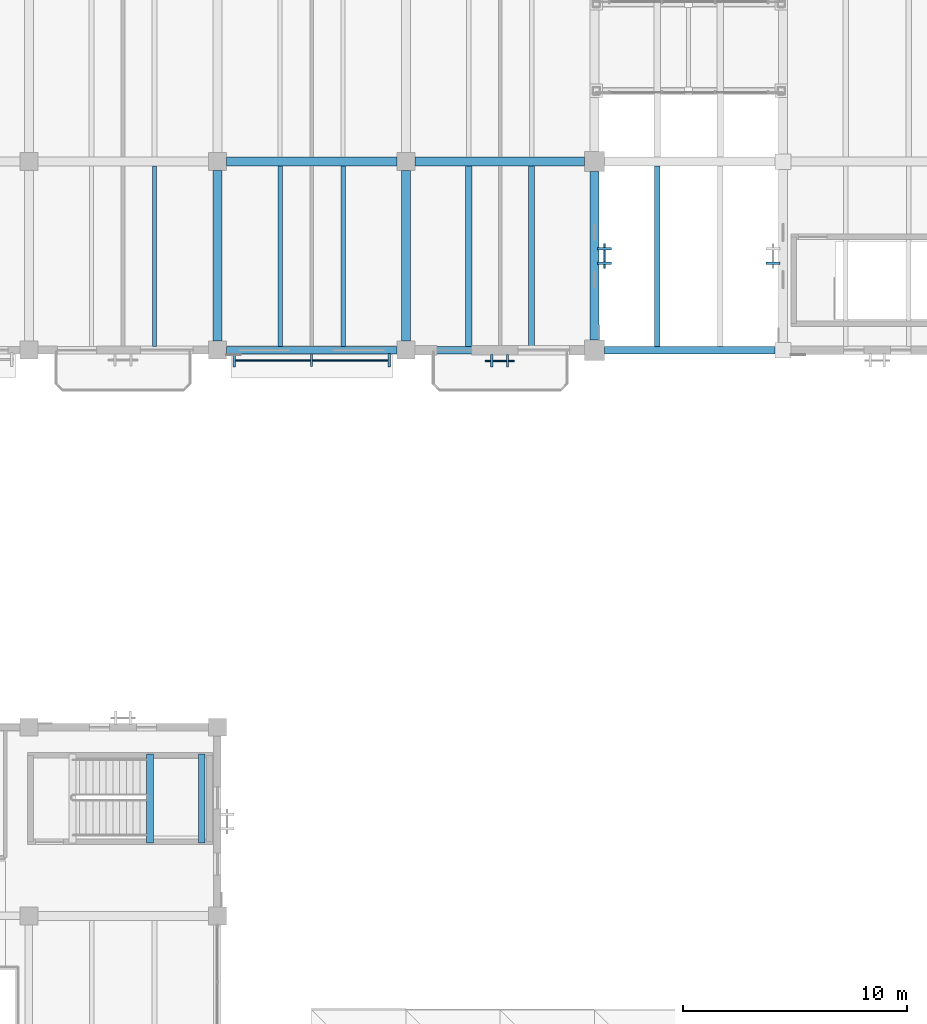
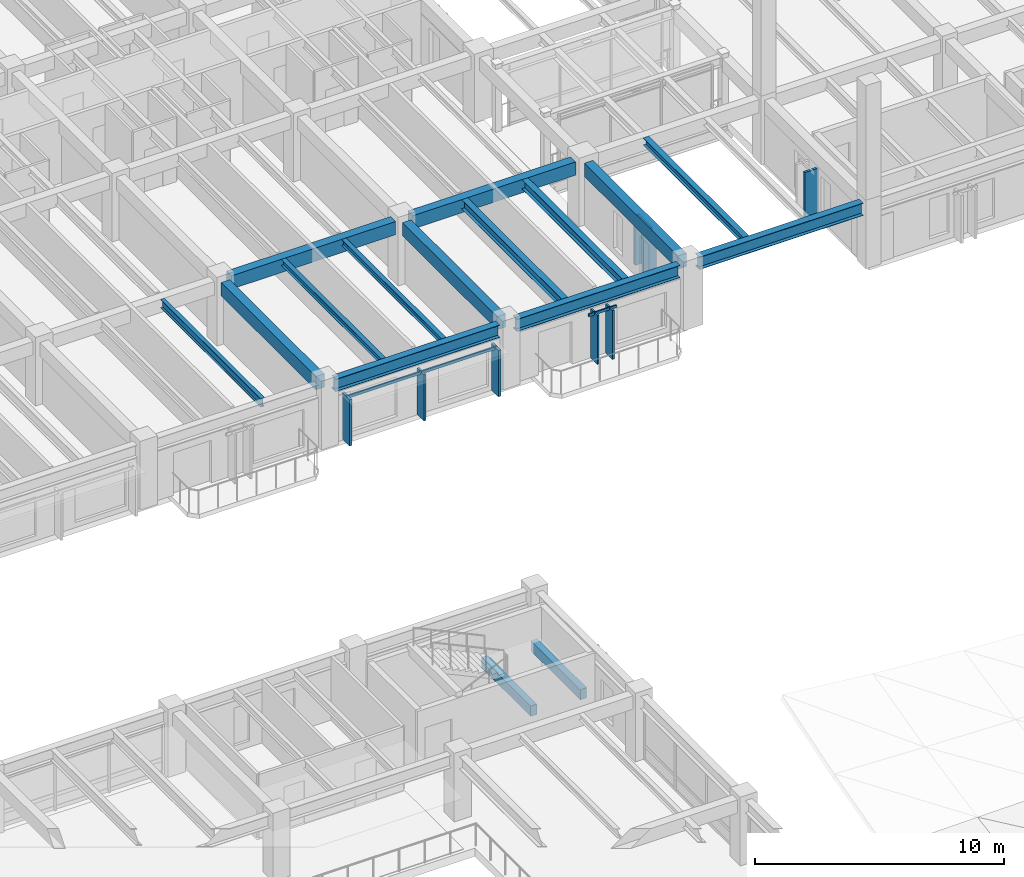
# One storey, part 20 of 123: 16 beams, 11 members, 4 elements without a shape of their own.
"""IFC4 building model written with IfcOpenShell, lengths in metres."""

from ifc_helpers import new_model, si_unit, direction, frame, origin, origin_2d, place, context, subcontext, project, spatial, rectangle, i_section, extrude, material, material_profile, profile_set, type_object, element, aggregate, save


model = new_model("IFC4")

# Units and contexts
model_context = context("Model", 3, precision=1e-05, world=origin(), true_north=direction((0.0, 1.0)))
body_context = subcontext(model_context, "Body", "Model", "MODEL_VIEW")
ifc_project = project(units=[si_unit("LENGTHUNIT", "METRE"), si_unit("AREAUNIT", "SQUARE_METRE"), si_unit("VOLUMEUNIT", "CUBIC_METRE"), si_unit("PLANEANGLEUNIT", "RADIAN"), si_unit("MASSUNIT", "GRAM", prefix="KILO")], contexts=[model_context])

# Site, building, storey
site_placement = place(None, origin())
site = spatial("IfcSite", under=ifc_project, at=site_placement, CompositionType="ELEMENT")
building_placement = place(site_placement, origin())
building = spatial("IfcBuilding", under=site, at=building_placement, Name="Cumbredor Promenade Congress Hotel", CompositionType="ELEMENT")
storey_placement = place(building_placement, frame((0.0, 0.0, 11.760009765625)))
storey = spatial("IfcBuildingStorey", under=building, at=storey_placement, Name="L03", CompositionType="ELEMENT", Elevation=11.760009765625)

# Beams
ifc_material_1 = material(Name="Concrete C40/50", Category="concrete")
ifc_material_profile_1 = material_profile(ifc_material_1, rectangle(XDim=0.39990234375, YDim=0.64990234375, at=origin_2d()), Name="RC BEAM 400x650")
ifc_profile_set_1 = profile_set([ifc_material_profile_1], Name="Concrete C40/50")
beam_type_1 = type_object("IfcBeamType", Name="BM-RC-400x650", PredefinedType="BEAM", material=ifc_profile_set_1)
beam_1_placement = place(storey_placement, frame((67.199951171875, 84.39990234375, 2.715087890625), z_axis=(0.0, 1.0, 0.0), x_axis=(-1.0, 0.0, 0.0)))
element("IfcBeam", 1, at=beam_1_placement, inside=storey, type_object=beam_type_1, Name="L04 Y-Grid Beam 133", PredefinedType="BEAM", context=body_context, shape_type="SweptSolid", body=[
    extrude(rectangle(XDim=0.39990234375, YDim=0.64990234375, at=origin_2d()), origin(), (0.0, 0.0, 1.0), 7.60009765625),
])
beam_2_placement = place(storey_placement, frame((67.60009765625, 92.39990234375, 2.715087890625), z_axis=(1.0, 0.0, 0.0), x_axis=(0.0, 1.0, 0.0)))
element("IfcBeam", 2, at=beam_2_placement, inside=storey, type_object=beam_type_1, Name="L04 X-Grid Beam 134", PredefinedType="BEAM", context=body_context, shape_type="SweptSolid", body=[
    extrude(rectangle(XDim=0.39990234375, YDim=0.64990234375, at=origin_2d()), origin(), (0.0, 0.0, 1.0), 7.599853515625),
])
beam_3_placement = place(storey_placement, frame((75.60009765625, 84.39990234375, 2.715087890625), z_axis=(0.0, 1.0, 0.0), x_axis=(-1.0, 0.0, 0.0)))
element("IfcBeam", 3, at=beam_3_placement, inside=storey, type_object=beam_type_1, Name="L04 Y-Grid Beam 142", PredefinedType="BEAM", context=body_context, shape_type="SweptSolid", body=[
    extrude(rectangle(XDim=0.39990234375, YDim=0.64990234375, at=origin_2d()), origin(), (0.0, 0.0, 1.0), 7.60009765625),
])
beam_4_placement = place(storey_placement, frame((76.0, 92.39990234375, 2.715087890625), z_axis=(1.0, 0.0, 0.0), x_axis=(0.0, 1.0, 0.0)))
element("IfcBeam", 4, at=beam_4_placement, inside=storey, type_object=beam_type_1, Name="L04 X-Grid Beam 143", PredefinedType="BEAM", context=body_context, shape_type="SweptSolid", body=[
    extrude(rectangle(XDim=0.39990234375, YDim=0.64990234375, at=origin_2d()), origin(), (0.0, 0.0, 1.0), 7.550048828125),
])
beam_5_placement = place(storey_placement, frame((84.0, 84.449951171875, 2.715087890625), z_axis=(0.0, 1.0, 0.0), x_axis=(-1.0, 0.0, 0.0)))
element("IfcBeam", 5, at=beam_5_placement, inside=storey, type_object=beam_type_1, Name="L04 Y-Grid Beam 151", PredefinedType="BEAM", context=body_context, shape_type="SweptSolid", body=[
    extrude(rectangle(XDim=0.39990234375, YDim=0.64990234375, at=origin_2d()), origin(), (0.0, 0.0, 1.0), 7.5),
])
ifc_material_2 = material(Name="Steel ASTM A992 Grade 50", Category="steel")
ifc_material_profile_2 = material_profile(ifc_material_2, i_section(OverallWidth=0.323974609375, OverallDepth=0.611083984375, WebThickness=0.0126953125, FlangeThickness=0.01904296875, at=origin_2d()), Name="W24X104")
ifc_profile_set_2 = profile_set([ifc_material_profile_2], Name="Steel ASTM A992 Grade 50")
beam_type_2 = type_object("IfcBeamType", Name="BM-W24X104", PredefinedType="BEAM", material=ifc_profile_set_2)
beam_6_placement = place(storey_placement, frame((67.60009765625, 84.0, 2.734375), z_axis=(1.0, 0.0, 0.0), x_axis=(0.0, 1.0, 0.0)))
element("IfcBeam", 6, at=beam_6_placement, inside=storey, type_object=beam_type_2, Name="L04 X-Grid Beam 132", PredefinedType="BEAM", context=body_context, shape_type="SweptSolid", body=[
    extrude(i_section(OverallWidth=0.323974609375, OverallDepth=0.611083984375, WebThickness=0.0126953125, FlangeThickness=0.01904296875, at=origin_2d()), origin(), (0.0, 0.0, 1.0), 7.599853515625),
])
beam_7_placement = place(storey_placement, frame((76.0, 84.0, 2.734375), z_axis=(1.0, 0.0, 0.0), x_axis=(0.0, 1.0, 0.0)))
element("IfcBeam", 7, at=beam_7_placement, inside=storey, type_object=beam_type_2, Name="L04 X-Grid Beam 141", PredefinedType="BEAM", context=body_context, shape_type="SweptSolid", body=[
    extrude(i_section(OverallWidth=0.323974609375, OverallDepth=0.611083984375, WebThickness=0.0126953125, FlangeThickness=0.01904296875, at=origin_2d()), origin(), (0.0, 0.0, 1.0), 7.550048828125),
])
beam_8_placement = place(storey_placement, frame((84.449951171875, 84.0, 2.814453125), z_axis=(1.0, 0.0, 0.0), x_axis=(0.0, 1.0, 0.0)))
element("IfcBeam", 8, at=beam_8_placement, inside=storey, type_object=beam_type_2, Name="L04 X-Grid Beam 150", PredefinedType="BEAM", context=body_context, shape_type="SweptSolid", body=[
    extrude(i_section(OverallWidth=0.323974609375, OverallDepth=0.611083984375, WebThickness=0.0126953125, FlangeThickness=0.01904296875, at=origin_2d()), origin(), (0.0, 0.0, 1.0), 7.60009765625),
])

# Curtain wall, member
ifc_material_3 = material(Name="Thermally broken anodized aluminium and low-E glass", Category="aluminium")
curtain_wall_type = type_object("IfcCurtainWallType", Name="Solar Brise-Soleil Screen Assembly CW-07", PredefinedType="NOTDEFINED", material=ifc_material_3)
curtain_wall_1_placement = place(storey_placement, origin())
curtain_wall_1 = element("IfcCurtainWall", 9, at=curtain_wall_1_placement, inside=storey, type_object=curtain_wall_type, Name="L03 Hospitality Brise-Soleil Screen 060", PredefinedType="NOTDEFINED")
ifc_material_4 = material(Name="Thermally broken anodized aluminium", Category="aluminium")
ifc_material_profile_3 = material_profile(ifc_material_4, rectangle(XDim=0.06494140625, YDim=0.1298828125, at=origin_2d()), Name="ALU TRANSOM 65x130")
ifc_profile_set_3 = profile_set([ifc_material_profile_3], Name="Thermally broken anodized aluminium")
member_type_1 = type_object("IfcMemberType", Name="Curtain Wall Transom TR-01", PredefinedType="USERDEFINED", material=ifc_profile_set_3)
member_1_placement = place(storey_placement, frame((67.90087890625, 83.550048828125, 2.23388671875), z_axis=(1.0, 0.0, 0.0), x_axis=(0.0, 1.0, 0.0)))
member_1 = element("IfcMember", 10, at=member_1_placement, type_object=member_type_1, Name="L03 Brise-Soleil Screen Transom 060", ObjectType="TRANSOM", PredefinedType="USERDEFINED", context=body_context, shape_type="SweptSolid", body=[
    extrude(rectangle(XDim=0.06494140625, YDim=0.1298828125, at=origin_2d()), origin(), (0.0, 0.0, 1.0), 6.998046875),
])

curtain_wall_2_placement = place(storey_placement, origin())
curtain_wall_2 = element("IfcCurtainWall", 11, at=curtain_wall_2_placement, inside=storey, type_object=curtain_wall_type, Name="L03 Veranda Solar Brise-Soleil Screen 643", PredefinedType="NOTDEFINED")
member_2_placement = place(storey_placement, frame((79.125, 83.527587890625, 2.333984375), z_axis=(1.0, 0.0, 0.0), x_axis=(0.0, 1.0, 0.0)))
member_2 = element("IfcMember", 12, at=member_2_placement, type_object=member_type_1, Name="L03 Brise-Soleil Header Tie 0645", ObjectType="TRANSOM", PredefinedType="USERDEFINED", context=body_context, shape_type="SweptSolid", body=[
    extrude(rectangle(XDim=0.06494140625, YDim=0.1298828125, at=origin_2d()), origin(), (0.0, 0.0, 1.0), 1.300048828125),
])

curtain_wall_3_placement = place(storey_placement, origin())
curtain_wall_3 = element("IfcCurtainWall", 13, at=curtain_wall_3_placement, inside=storey, type_object=curtain_wall_type, Name="L03 Pier Brise-Soleil Screen 0685", PredefinedType="NOTDEFINED")
member_3_placement = place(storey_placement, frame((84.449951171875, 87.64990234375, 2.215087890625), z_axis=(0.0, 1.0, 0.0), x_axis=(-1.0, 0.0, 0.0)))
member_3 = element("IfcMember", 14, at=member_3_placement, type_object=member_type_1, Name="L03 Pier Brise-Soleil Header 0687", ObjectType="TRANSOM", PredefinedType="USERDEFINED", context=body_context, shape_type="SweptSolid", body=[
    extrude(rectangle(XDim=0.06494140625, YDim=0.1298828125, at=origin_2d()), origin(), (0.0, 0.0, 1.0), 1.10009765625),
])

# Beams
ifc_material_profile_4 = material_profile(ifc_material_2, i_section(OverallWidth=0.202880859375, OverallDepth=0.302978515625, WebThickness=0.007568359375, FlangeThickness=0.01318359375, at=origin_2d()), Name="W12X40")
ifc_profile_set_4 = profile_set([ifc_material_profile_4], Name="Steel ASTM A992 Grade 50")
beam_type_3 = type_object("IfcBeamType", Name="JST-W12X40", PredefinedType="JOIST", material=ifc_profile_set_4)
for number, where, z_axis, x_axis, name in (
    (15, (70.0, 84.162109375, 2.888427734375), (0.0, 1.0, 0.0), (-1.0, 0.0, 0.0), "L04 Secondary Floor Joist 0080"),
    (16, (72.800048828125, 84.162109375, 2.888427734375), (0.0, 1.0, 0.0), (-1.0, 0.0, 0.0), "L04 Secondary Floor Joist 0081"),
):
    element("IfcBeam", number, at=place(storey_placement, frame(where, z_axis=z_axis, x_axis=x_axis)), inside=storey, type_object=beam_type_3, Name=name, PredefinedType="JOIST", context=body_context, shape_type="SweptSolid", body=[
        extrude(i_section(OverallWidth=0.202880859375, OverallDepth=0.302978515625, WebThickness=0.007568359375, FlangeThickness=0.01318359375, at=origin_2d()), origin(), (0.0, 0.0, 1.0), 8.037841796875),
    ])
ifc_material_profile_5 = material_profile(ifc_material_2, i_section(OverallWidth=0.2548828125, OverallDepth=0.35693359375, WebThickness=0.010498046875, FlangeThickness=0.018310546875, at=origin_2d()), Name="W14X68")
ifc_profile_set_5 = profile_set([ifc_material_profile_5], Name="Steel ASTM A992 Grade 50")
beam_type_4 = type_object("IfcBeamType", Name="JST-W14X68", PredefinedType="JOIST", material=ifc_profile_set_5)
beam_9_placement = place(storey_placement, frame((86.800048828125, 84.162109375, 2.94140625), z_axis=(0.0, 1.0, 0.0), x_axis=(-1.0, 0.0, 0.0)))
element("IfcBeam", 17, at=beam_9_placement, inside=storey, type_object=beam_type_4, Name="L04 Secondary Floor Joist 0096", PredefinedType="JOIST", context=body_context, shape_type="SweptSolid", body=[
    extrude(i_section(OverallWidth=0.2548828125, OverallDepth=0.35693359375, WebThickness=0.010498046875, FlangeThickness=0.018310546875, at=origin_2d()), origin(), (0.0, 0.0, 1.0), 8.037841796875),
])
ifc_material_profile_6 = material_profile(ifc_material_2, i_section(OverallWidth=0.180908203125, OverallDepth=0.4169921875, WebThickness=0.010986328125, FlangeThickness=0.018310546875, at=origin_2d()), Name="W16X57")
ifc_profile_set_6 = profile_set([ifc_material_profile_6], Name="Steel ASTM A992 Grade 50")
beam_type_5 = type_object("IfcBeamType", Name="JST-W16X57", PredefinedType="JOIST", material=ifc_profile_set_6)
beam_10_placement = place(storey_placement, frame((64.39990234375, 84.162109375, 2.83154296875), z_axis=(0.0, 1.0, 0.0), x_axis=(-1.0, 0.0, 0.0)))
element("IfcBeam", 18, at=beam_10_placement, inside=storey, type_object=beam_type_5, Name="L04 Secondary Floor Joist 0073", PredefinedType="JOIST", context=body_context, shape_type="SweptSolid", body=[
    extrude(i_section(OverallWidth=0.180908203125, OverallDepth=0.4169921875, WebThickness=0.010986328125, FlangeThickness=0.018310546875, at=origin_2d()), origin(), (0.0, 0.0, 1.0), 8.037841796875),
])
ifc_material_profile_7 = material_profile(ifc_material_2, i_section(OverallWidth=0.280029296875, OverallDepth=0.462890625, WebThickness=0.0107421875, FlangeThickness=0.017333984375, at=origin_2d()), Name="W18X76")
ifc_profile_set_7 = profile_set([ifc_material_profile_7], Name="Steel ASTM A992 Grade 50")
beam_type_6 = type_object("IfcBeamType", Name="JST-W18X76", PredefinedType="JOIST", material=ifc_profile_set_7)
for number, where, z_axis, x_axis, name in (
    (19, (78.39990234375, 84.162109375, 2.80859375), (0.0, 1.0, 0.0), (-1.0, 0.0, 0.0), "L04 Secondary Floor Joist 0088"),
    (20, (81.199951171875, 84.162109375, 2.80859375), (0.0, 1.0, 0.0), (-1.0, 0.0, 0.0), "L04 Secondary Floor Joist 0089"),
):
    element("IfcBeam", number, at=place(storey_placement, frame(where, z_axis=z_axis, x_axis=x_axis)), inside=storey, type_object=beam_type_6, Name=name, PredefinedType="JOIST", context=body_context, shape_type="SweptSolid", body=[
        extrude(i_section(OverallWidth=0.280029296875, OverallDepth=0.462890625, WebThickness=0.0107421875, FlangeThickness=0.017333984375, at=origin_2d()), origin(), (0.0, 0.0, 1.0), 8.037841796875),
    ])
ifc_material_profile_8 = material_profile(ifc_material_1, rectangle(XDim=0.300048828125, YDim=0.5, at=origin_2d()), Name="RC LINTEL 300x500")
ifc_profile_set_8 = profile_set([ifc_material_profile_8], Name="Concrete C40/50")
beam_type_7 = type_object("IfcBeamType", Name="LN-RC-300x500", PredefinedType="LINTEL", material=ifc_profile_set_8)
for number, where, z_axis, x_axis, name in (
    (21, (66.5, 62.050048828125, 1.22998046875), (0.0, 1.0, 0.0), (-1.0, 0.0, 0.0), "L03 Stair ST-07 Landing Ledger Beam E"),
    (22, (64.199951171875, 62.050048828125, 1.22998046875), (0.0, 1.0, 0.0), (-1.0, 0.0, 0.0), "L03 Stair ST-07 Landing Ledger Beam W"),
):
    element("IfcBeam", number, at=place(storey_placement, frame(where, z_axis=z_axis, x_axis=x_axis)), inside=storey, type_object=beam_type_7, Name=name, PredefinedType="LINTEL", context=body_context, shape_type="SweptSolid", body=[
        extrude(rectangle(XDim=0.300048828125, YDim=0.5, at=origin_2d()), origin(), (0.0, 0.0, 1.0), 3.949951171875),
    ])

# Curtain wall, member
curtain_wall_4_placement = place(storey_placement, origin())
curtain_wall_4 = element("IfcCurtainWall", 23, at=curtain_wall_4_placement, inside=storey, type_object=curtain_wall_type, Name="L03 Pier Brise-Soleil Screen 0601", PredefinedType="NOTDEFINED")
ifc_material_profile_9 = material_profile(ifc_material_4, rectangle(XDim=0.110107421875, YDim=0.6201171875, at=origin_2d()), Name="ARCH FIN 110x620")
ifc_profile_set_9 = profile_set([ifc_material_profile_9], Name="Thermally broken anodized aluminium")
member_type_2 = type_object("IfcMemberType", Name="Vertical Bronze Brise-Soleil Fin BSF-02 110x620", PredefinedType="USERDEFINED", material=ifc_profile_set_9)
member_4_placement = place(storey_placement, frame((91.949951171875, 87.8798828125, 0.02001953125), z_axis=(0.0, 0.0, 1.0), x_axis=(0.0, 1.0, 0.0)))
member_4 = element("IfcMember", 24, at=member_4_placement, type_object=member_type_2, Name="L03 Pier Brise-Soleil Fin 0602", ObjectType="SOLAR FIN", PredefinedType="USERDEFINED", context=body_context, shape_type="SweptSolid", body=[
    extrude(rectangle(XDim=0.110107421875, YDim=0.6201171875, at=origin_2d()), origin(), (0.0, 0.0, 1.0), 2.31494140625),
])
aggregate(curtain_wall_4, [member_4])

# Member
member_5_placement = place(storey_placement, frame((67.950927734375, 83.550048828125, 0.02001953125), z_axis=(0.0, 0.0, 1.0), x_axis=(1.0, 0.0, 0.0)))
member_5 = element("IfcMember", 25, at=member_5_placement, type_object=member_type_2, Name="L03 Vertical Brise-Soleil Fin 0640", ObjectType="SOLAR FIN", PredefinedType="USERDEFINED", context=body_context, shape_type="SweptSolid", body=[
    extrude(rectangle(XDim=0.110107421875, YDim=0.6201171875, at=origin_2d()), origin(), (0.0, 0.0, 1.0), 2.27392578125),
])

member_6_placement = place(storey_placement, frame((74.84912109375, 83.550048828125, 0.02001953125), z_axis=(0.0, 0.0, 1.0), x_axis=(1.0, 0.0, 0.0)))
member_6 = element("IfcMember", 26, at=member_6_placement, type_object=member_type_2, Name="L03 Vertical Brise-Soleil Fin 0642", ObjectType="SOLAR FIN", PredefinedType="USERDEFINED", context=body_context, shape_type="SweptSolid", body=[
    extrude(rectangle(XDim=0.110107421875, YDim=0.6201171875, at=origin_2d()), origin(), (0.0, 0.0, 1.0), 2.27392578125),
])

member_7_placement = place(storey_placement, frame((84.449951171875, 87.8798828125, 0.02001953125), z_axis=(0.0, 0.0, 1.0), x_axis=(0.0, 1.0, 0.0)))
member_7 = element("IfcMember", 27, at=member_7_placement, type_object=member_type_2, Name="L03 Pier Brise-Soleil Fin 0686", ObjectType="SOLAR FIN", PredefinedType="USERDEFINED", context=body_context, shape_type="SweptSolid", body=[
    extrude(rectangle(XDim=0.110107421875, YDim=0.6201171875, at=origin_2d()), origin(), (0.0, 0.0, 1.0), 2.23486328125),
])

member_8_placement = place(storey_placement, frame((84.449951171875, 88.52001953125, 0.02001953125), z_axis=(0.0, 0.0, 1.0), x_axis=(0.0, 1.0, 0.0)))
member_8 = element("IfcMember", 28, at=member_8_placement, type_object=member_type_2, Name="L03 Pier Brise-Soleil Fin 0687", ObjectType="SOLAR FIN", PredefinedType="USERDEFINED", context=body_context, shape_type="SweptSolid", body=[
    extrude(rectangle(XDim=0.110107421875, YDim=0.6201171875, at=origin_2d()), origin(), (0.0, 0.0, 1.0), 2.23486328125),
])

aggregate(curtain_wall_3, [member_7, member_8, member_3])

ifc_material_5 = material(Name="Kiln-dried tropical hardwood", Category="wood")
ifc_material_profile_10 = material_profile(ifc_material_5, rectangle(XDim=0.090087890625, YDim=0.550048828125, at=origin_2d()), Name="ARCH FIN 90x550")
ifc_profile_set_10 = profile_set([ifc_material_profile_10], Name="Kiln-dried tropical hardwood")
member_type_3 = type_object("IfcMemberType", Name="Vertical Hardwood Brise-Soleil Fin BSF-01 90x550", PredefinedType="USERDEFINED", material=ifc_profile_set_10)
member_9_placement = place(storey_placement, frame((71.39990234375, 83.550048828125, 0.02001953125), z_axis=(0.0, 0.0, 1.0), x_axis=(1.0, 0.0, 0.0)))
member_9 = element("IfcMember", 29, at=member_9_placement, type_object=member_type_3, Name="L03 Vertical Brise-Soleil Fin 0641", ObjectType="SOLAR FIN", PredefinedType="USERDEFINED", context=body_context, shape_type="SweptSolid", body=[
    extrude(rectangle(XDim=0.090087890625, YDim=0.550048828125, at=origin_2d()), origin(), (0.0, 0.0, 1.0), 2.27392578125),
])

aggregate(curtain_wall_1, [member_1, member_5, member_9, member_6])

member_10_placement = place(storey_placement, frame((79.425048828125, 83.527587890625, -0.010009765625), z_axis=(0.0, 0.0, 1.0), x_axis=(1.0, 0.0, 0.0)))
member_10 = element("IfcMember", 30, at=member_10_placement, type_object=member_type_3, Name="L03 Vertical Hardwood Brise-Soleil Fin 0644", ObjectType="SOLAR FIN", PredefinedType="USERDEFINED", context=body_context, shape_type="SweptSolid", body=[
    extrude(rectangle(XDim=0.090087890625, YDim=0.550048828125, at=origin_2d()), origin(), (0.0, 0.0, 1.0), 2.404052734375),
])

member_11_placement = place(storey_placement, frame((80.125, 83.527587890625, -0.010009765625), z_axis=(0.0, 0.0, 1.0), x_axis=(1.0, 0.0, 0.0)))
member_11 = element("IfcMember", 31, at=member_11_placement, type_object=member_type_3, Name="L03 Vertical Hardwood Brise-Soleil Fin 0645", ObjectType="SOLAR FIN", PredefinedType="USERDEFINED", context=body_context, shape_type="SweptSolid", body=[
    extrude(rectangle(XDim=0.090087890625, YDim=0.550048828125, at=origin_2d()), origin(), (0.0, 0.0, 1.0), 2.404052734375),
])

aggregate(curtain_wall_2, [member_10, member_11, member_2])

save(model, "model.ifc")
